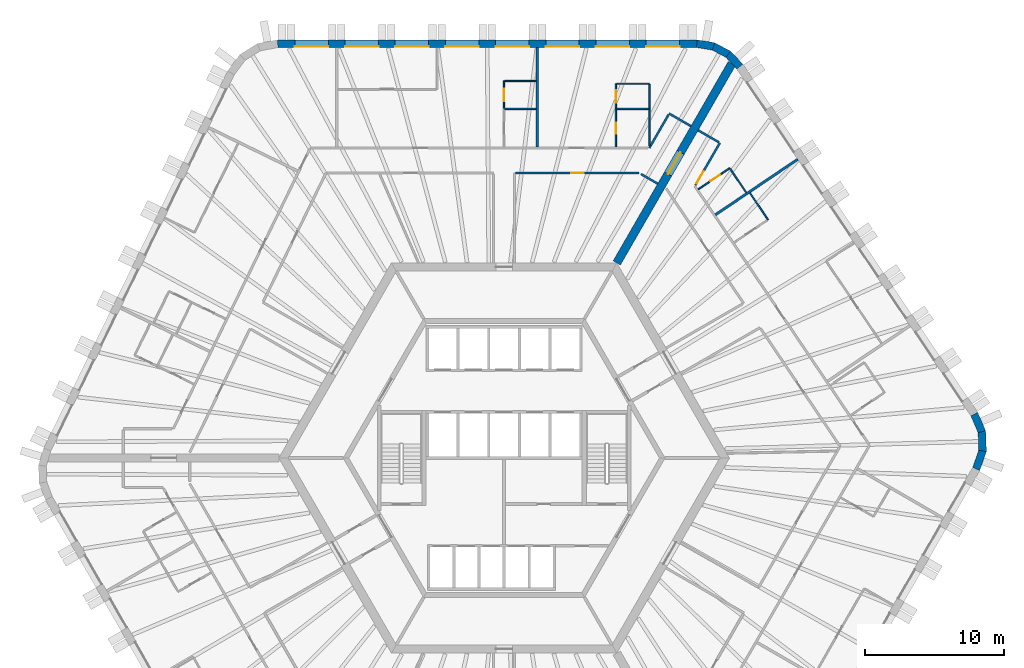
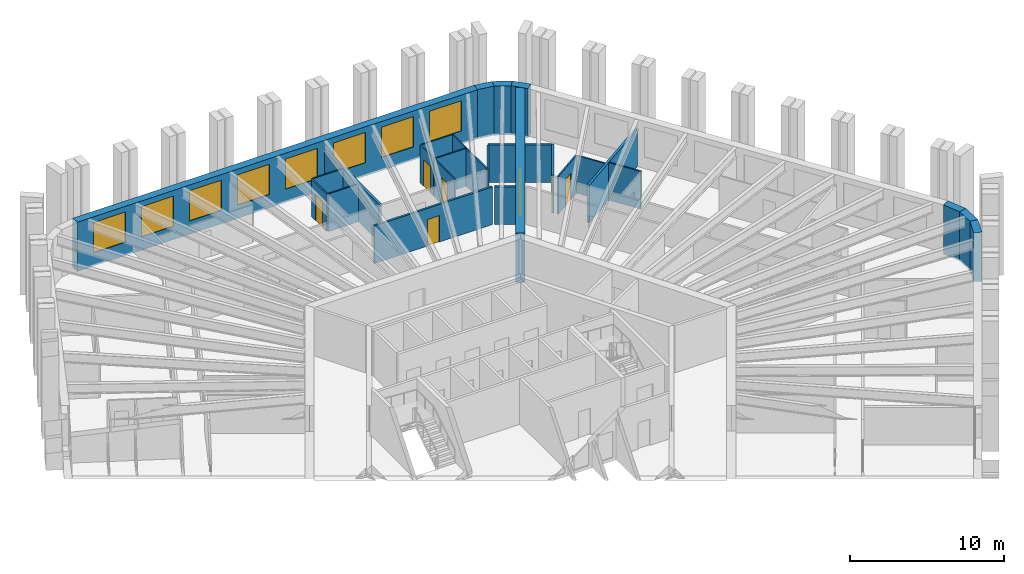
# One storey, part 10 of 13: 28 walls, 8 windows, 7 doors, 15 openings.
"""IFC4 building model written with IfcOpenShell, lengths in metres."""

from ifc_helpers import new_model, si_unit, direction, frame, frame_2d, origin, place, context, subcontext, project, spatial, polyline, rectangle, outline, extrude, material, layer, layer_set, type_object, element, fill, save


model = new_model("IFC4")

# Units and contexts
model_context = context("Model", 3, precision=1e-05, world=origin(), true_north=direction((0.0, 1.0)))
body_context = subcontext(model_context, "Body", "Model", "MODEL_VIEW")
ifc_project = project(units=[si_unit("LENGTHUNIT", "METRE"), si_unit("AREAUNIT", "SQUARE_METRE"), si_unit("VOLUMEUNIT", "CUBIC_METRE"), si_unit("PLANEANGLEUNIT", "RADIAN"), si_unit("MASSUNIT", "GRAM", prefix="KILO")], contexts=[model_context])

# Site, building, storey
site_placement = place(None, origin())
site = spatial("IfcSite", under=ifc_project, at=site_placement, CompositionType="ELEMENT")
building_placement = place(site_placement, origin())
building = spatial("IfcBuilding", under=site, at=building_placement, Name="Tarnside Tower", CompositionType="ELEMENT")
storey_placement = place(building_placement, frame((0.0, 0.0, 92.10009765625)))
storey = spatial("IfcBuildingStorey", under=building, at=storey_placement, Name="L20", CompositionType="ELEMENT", Elevation=92.10009765625)

# Wall, opening, door
ifc_material_1 = material(Name="Gypsum board partition on steel studs", Category="steel")
ifc_layer_1 = layer(ifc_material_1, 0.10009765625)
ifc_layer_set_1 = layer_set([ifc_layer_1], Name="Bathroom wall 100")
wall_type_1 = type_object("IfcWallType", Name="Bathroom wall 100", PredefinedType="PARTITIONING", material=ifc_layer_set_1)
wall_1_placement = place(storey_placement, frame((8.021240234375, 22.324951171875, 0.0), z_axis=(0.0, 0.0, 1.0), x_axis=(0.0, 1.0, 0.0)))
wall_1 = element("IfcWall", 1, at=wall_1_placement, inside=storey, type_object=wall_type_1, Name="Bathroom wall 06076", PredefinedType="PARTITIONING", context=body_context, shape_type="SweptSolid", body=[
    extrude(rectangle(XDim=2.72509765625, YDim=0.10009765625, at=frame_2d((1.362548828125, 0.0))), origin(), (0.0, 0.0, 1.0), 2.98779296875),
])
opening_1_placement = place(wall_1_placement, frame((0.925048828125, 0.0, 0.0)))
opening_1 = element("IfcOpeningElement", 2, at=opening_1_placement, cuts=wall_1, Name="Opening D-B1", PredefinedType="OPENING", context=body_context, shape_type="SweptSolid", body=[
    extrude(rectangle(XDim=0.800048828125, YDim=2.10009765625, at=frame_2d((0.39990234375, 1.050048828125))), frame((0.0, 0.06005859375, 0.0), z_axis=(0.0, -1.0, 0.0), x_axis=(1.0, 0.0, 0.0)), (0.0, 0.0, 1.0), 0.1201171875),
])
ifc_material_2 = material(Name="Timber door leaf", Category="wood")
door_type_1 = type_object("IfcDoorType", Name="Bathroom door 800", OperationType="NOTDEFINED", PredefinedType="DOOR", material=ifc_material_2)
door_1_placement = place(opening_1_placement, origin())
door_1 = element("IfcDoor", 3, at=door_1_placement, inside=storey, type_object=door_type_1, Name="Bathroom door 06002", OperationType="SINGLE_SWING_RIGHT", OverallHeight=2.10009765625, OverallWidth=0.800048828125, PredefinedType="DOOR", context=body_context, shape_type="SweptSolid", body=[
    extrude(rectangle(XDim=0.800048828125, YDim=2.10009765625, at=frame_2d((0.39990234375, 1.050048828125))), frame((0.0, 0.02490234375, 0.0), z_axis=(0.0, -1.0, 0.0), x_axis=(1.0, 0.0, 0.0)), (0.0, 0.0, 1.0), 0.050048828125),
])
fill(opening_1, door_1)

# Walls
wall_2_placement = place(storey_placement, frame((10.421142578125, 25.050048828125, 0.0), z_axis=(0.0, 0.0, 1.0), x_axis=(0.0, -1.0, 0.0)))
element("IfcWall", 4, at=wall_2_placement, inside=storey, type_object=wall_type_1, Name="Bathroom wall 06077", PredefinedType="PARTITIONING", context=body_context, shape_type="SweptSolid", body=[
    extrude(rectangle(XDim=2.650146484375, YDim=0.10009765625, at=frame_2d((1.3251953125, 0.0))), origin(), (0.0, 0.0, 1.0), 2.98779296875),
])
wall_3_placement = place(storey_placement, frame((10.37109375, 25.050048828125, 0.0), z_axis=(0.0, 0.0, 1.0), x_axis=(-1.0, 0.0, 0.0)))
element("IfcWall", 5, at=wall_3_placement, inside=storey, type_object=wall_type_1, Name="Bathroom wall 06084", PredefinedType="PARTITIONING", context=body_context, shape_type="SweptSolid", body=[
    extrude(rectangle(XDim=2.2998046875, YDim=0.10009765625, at=frame_2d((1.14990234375, 0.0))), origin(), (0.0, 0.0, 1.0), 2.98779296875),
])
wall_4_placement = place(storey_placement, frame((2.298828125, 25.050048828125, 0.0), z_axis=(0.0, 0.0, 1.0), x_axis=(-1.0, 0.0, 0.0)))
element("IfcWall", 6, at=wall_4_placement, inside=storey, type_object=wall_type_1, Name="Bathroom wall 06091", PredefinedType="PARTITIONING", context=body_context, shape_type="SweptSolid", body=[
    extrude(rectangle(XDim=2.259765625, YDim=0.10009765625, at=frame_2d((1.1298828125, 0.0))), origin(), (0.0, 0.0, 1.0), 2.98779296875),
])
wall_5_placement = place(storey_placement, frame((17.634521484375, 19.010009765625, 0.0), z_axis=(0.0, 0.0, 1.0), x_axis=(0.559204176839, -0.829029968461, 0.0)))
element("IfcWall", 7, at=wall_5_placement, inside=storey, type_object=wall_type_1, Name="Bathroom wall 06154", PredefinedType="PARTITIONING", context=body_context, shape_type="SweptSolid", body=[
    extrude(rectangle(XDim=2.31005859375, YDim=0.10009765625, at=frame_2d((1.155029296875, 0.0))), origin(), (0.0, 0.0, 1.0), 2.98779296875),
])

# Wall, opening, door
wall_6_placement = place(storey_placement, frame((13.92919921875, 19.27294921875, 0.0), z_axis=(0.0, 0.0, 1.0), x_axis=(0.829047014003, 0.559178905694, 0.0)))
wall_6 = element("IfcWall", 8, at=wall_6_placement, inside=storey, type_object=wall_type_1, Name="Bathroom wall 06161", PredefinedType="PARTITIONING", context=body_context, shape_type="SweptSolid", body=[
    extrude(rectangle(XDim=2.724853515625, YDim=0.10009765625, at=frame_2d((1.3623046875, 0.0))), origin(), (0.0, 0.0, 1.0), 2.98779296875),
])
opening_2_placement = place(wall_6_placement, frame((1.06494140625, 0.0, 0.0)))
opening_2 = element("IfcOpeningElement", 9, at=opening_2_placement, cuts=wall_6, Name="Opening D-B1", PredefinedType="OPENING", context=body_context, shape_type="SweptSolid", body=[
    extrude(rectangle(XDim=0.800048828125, YDim=2.10009765625, at=frame_2d((0.39990234375, 1.050048828125))), frame((0.0, 0.06005859375, 0.0), z_axis=(0.0, -1.0, 0.0), x_axis=(1.0, 0.0, 0.0)), (0.0, 0.0, 1.0), 0.1201171875),
])
door_2_placement = place(opening_2_placement, origin())
door_2 = element("IfcDoor", 10, at=door_2_placement, inside=storey, type_object=door_type_1, Name="Bathroom door 06041", OperationType="SINGLE_SWING_LEFT", OverallHeight=2.10009765625, OverallWidth=0.800048828125, PredefinedType="DOOR", context=body_context, shape_type="SweptSolid", body=[
    extrude(rectangle(XDim=0.800048828125, YDim=2.10009765625, at=frame_2d((0.39990234375, 1.050048828125))), frame((0.0, 0.02490234375, 0.0), z_axis=(0.0, -1.0, 0.0), x_axis=(1.0, 0.0, 0.0)), (0.0, 0.0, 1.0), 0.050048828125),
])
fill(opening_2, door_2)

# Wall
wall_7_placement = place(storey_placement, frame((16.216064453125, 20.755126953125, 0.0), z_axis=(0.0, 0.0, 1.0), x_axis=(0.559259117518, -0.828992906769, 0.0)))
element("IfcWall", 11, at=wall_7_placement, inside=storey, type_object=wall_type_1, Name="Bathroom wall 06162", PredefinedType="PARTITIONING", context=body_context, shape_type="SweptSolid", body=[
    extrude(rectangle(XDim=2.06005859375, YDim=0.10009765625, at=frame_2d((1.030029296875, 0.0))), origin(), (0.0, 0.0, 1.0), 2.98779296875),
])

# Wall, opening, door
ifc_material_3 = material(Name="Concrete C80/95", Category="concrete")
ifc_layer_2 = layer(ifc_material_3, 0.60009765625)
ifc_layer_set_2 = layer_set([ifc_layer_2], Name="Core wall Z1 600 C80/95")
wall_type_2 = type_object("IfcWallType", Name="Core wall Z1 600 C80/95", PredefinedType="SHEAR", material=ifc_layer_set_2)
wall_8_placement = place(storey_placement, frame((8.0830078125, 14.0, -0.150146484375), z_axis=(0.0, 0.0, 1.0), x_axis=(0.499997680643, 0.866026742862, 0.0)))
wall_8 = element("IfcWall", 12, at=wall_8_placement, inside=storey, type_object=wall_type_2, Name="L20 spine wall 1", PredefinedType="SHEAR", context=body_context, shape_type="SweptSolid", body=[
    extrude(rectangle(XDim=16.5087890625, YDim=0.60009765625, at=frame_2d((8.25439453125, 0.0))), origin(), (0.0, 0.0, 1.0), 3.900146484375),
])
opening_3_placement = place(wall_8_placement, frame((7.3544921875, 0.0, 0.14990234375)))
opening_3 = element("IfcOpeningElement", 13, at=opening_3_placement, cuts=wall_8, Name="Opening CD-SPN", PredefinedType="OPENING", context=body_context, shape_type="SweptSolid", body=[
    extrude(rectangle(XDim=1.800048828125, YDim=2.39990234375, at=frame_2d((0.89990234375, 1.199951171875))), frame((0.0, 0.31005859375, 0.0), z_axis=(0.0, -1.0, 0.0), x_axis=(1.0, 0.0, 0.0)), (0.0, 0.0, 1.0), 0.6201171875),
])
ifc_material_4 = material(Name="Steel fire door", Category="steel")
door_type_2 = type_object("IfcDoorType", Name="Spine passage double door FD60 1800x2400", OperationType="NOTDEFINED", PredefinedType="DOOR", material=ifc_material_4)
door_3_placement = place(opening_3_placement, origin())
door_3 = element("IfcDoor", 14, at=door_3_placement, inside=storey, type_object=door_type_2, Name="L20 spine passage door 1", OperationType="DOUBLE_DOOR_SINGLE_SWING", OverallHeight=2.39990234375, OverallWidth=1.800048828125, PredefinedType="DOOR", context=body_context, shape_type="SweptSolid", body=[
    extrude(rectangle(XDim=1.800048828125, YDim=2.39990234375, at=frame_2d((0.89990234375, 1.199951171875))), frame((0.0, 0.02490234375, 0.0), z_axis=(0.0, -1.0, 0.0), x_axis=(1.0, 0.0, 0.0)), (0.0, 0.0, 1.0), 0.050048828125),
])
fill(opening_3, door_3)

# Walls
ifc_layer_3 = layer(ifc_material_1, 0.14990234375)
ifc_layer_set_3 = layer_set([ifc_layer_3], Name="Corridor wall 150 EI 60")
wall_type_3 = type_object("IfcWallType", Name="Corridor wall 150 EI 60", PredefinedType="PARTITIONING", material=ifc_layer_set_3)
wall_9_placement = place(storey_placement, frame((13.400390625, 23.81005859375, 0.0), z_axis=(0.0, 0.0, 1.0), x_axis=(-0.865989075817, 0.500062916607, 0.0)))
element("IfcWall", 15, at=wall_9_placement, inside=storey, type_object=wall_type_3, Name="Corridor wall 06002", PredefinedType="PARTITIONING", context=body_context, shape_type="SweptSolid", body=[
    extrude(rectangle(XDim=1.800048828125, YDim=0.14990234375, at=frame_2d((0.89990234375, 0.0))), origin(), (0.0, 0.0, 1.0), 2.98779296875),
])
wall_10_placement = place(storey_placement, frame((11.803955078125, 24.64501953125, 0.0), z_axis=(0.0, 0.0, 1.0), x_axis=(-0.500012835235, -0.866017993231, 0.0)))
element("IfcWall", 16, at=wall_10_placement, inside=storey, type_object=wall_type_3, Name="Corridor wall 06003", PredefinedType="PARTITIONING", context=body_context, shape_type="SweptSolid", body=[
    extrude(rectangle(XDim=2.765625, YDim=0.14990234375, at=frame_2d((1.3828125, 0.0))), origin(), (0.0, 0.0, 1.0), 2.98779296875),
])

# Wall, opening, door
wall_11_placement = place(storey_placement, frame((0.824951171875, 20.449951171875, 0.0), z_axis=(0.0, 0.0, 1.0), x_axis=(1.0, 0.0, 0.0)))
wall_11 = element("IfcWall", 17, at=wall_11_placement, inside=storey, type_object=wall_type_3, Name="Corridor wall 06021", PredefinedType="PARTITIONING", context=body_context, shape_type="SweptSolid", body=[
    extrude(rectangle(XDim=8.860107421875, YDim=0.14990234375, at=frame_2d((4.43017578125, 0.0))), origin(), (0.0, 0.0, 1.0), 2.98779296875),
])
opening_4_placement = place(wall_11_placement, frame((3.97998046875, 0.0, 0.0)))
opening_4 = element("IfcOpeningElement", 18, at=opening_4_placement, cuts=wall_11, Name="Opening D-S1", PredefinedType="OPENING", context=body_context, shape_type="SweptSolid", body=[
    extrude(rectangle(XDim=0.89990234375, YDim=2.10009765625, at=frame_2d((0.449951171875, 1.050048828125))), frame((0.0, 0.0849609375, 0.0), z_axis=(0.0, -1.0, 0.0), x_axis=(1.0, 0.0, 0.0)), (0.0, 0.0, 1.0), 0.169921875),
])
door_type_3 = type_object("IfcDoorType", Name="Service room door 900 FD30S", OperationType="NOTDEFINED", PredefinedType="DOOR", material=ifc_material_2)
door_4_placement = place(opening_4_placement, origin())
door_4 = element("IfcDoor", 19, at=door_4_placement, inside=storey, type_object=door_type_3, Name="Service door 06044", OperationType="SINGLE_SWING_LEFT", OverallHeight=2.10009765625, OverallWidth=0.89990234375, PredefinedType="DOOR", context=body_context, shape_type="SweptSolid", body=[
    extrude(rectangle(XDim=0.89990234375, YDim=2.10009765625, at=frame_2d((0.449951171875, 1.050048828125))), frame((0.0, 0.02490234375, 0.0), z_axis=(0.0, -1.0, 0.0), x_axis=(1.0, 0.0, 0.0)), (0.0, 0.0, 1.0), 0.050048828125),
])
fill(opening_4, door_4)

# Wall
wall_12_placement = place(storey_placement, frame((9.81494140625, 20.375, 0.0), z_axis=(0.0, 0.0, 1.0), x_axis=(0.86600392025, -0.500037208726, 0.0)))
element("IfcWall", 20, at=wall_12_placement, inside=storey, type_object=wall_type_3, Name="Corridor wall 06022", PredefinedType="PARTITIONING", context=body_context, shape_type="SweptSolid", body=[
    extrude(rectangle(XDim=1.3876953125, YDim=0.14990234375, at=frame_2d((0.69384765625, 0.0))), origin(), (0.0, 0.0, 1.0), 2.98779296875),
])

# Wall, opening, door
wall_13_placement = place(storey_placement, frame((13.72607421875, 19.573974609375, 0.0), z_axis=(0.0, 0.0, 1.0), x_axis=(0.499951531933, 0.866053385028, 0.0)))
wall_13 = element("IfcWall", 21, at=wall_13_placement, inside=storey, type_object=wall_type_3, Name="Corridor wall 06063", PredefinedType="PARTITIONING", context=body_context, shape_type="SweptSolid", body=[
    extrude(rectangle(XDim=3.505615234375, YDim=0.14990234375, at=frame_2d((1.7529296875, 0.0))), origin(), (0.0, 0.0, 1.0), 2.98779296875),
])
opening_5_placement = place(wall_13_placement, frame((0.14990234375, 0.0, 0.0)))
opening_5 = element("IfcOpeningElement", 22, at=opening_5_placement, cuts=wall_13, Name="Opening D-E1", PredefinedType="OPENING", context=body_context, shape_type="SweptSolid", body=[
    extrude(rectangle(XDim=1.0, YDim=2.10009765625, at=frame_2d((0.5, 1.050048828125))), frame((0.0, 0.0849609375, 0.0), z_axis=(0.0, -1.0, 0.0), x_axis=(1.0, 0.0, 0.0)), (0.0, 0.0, 1.0), 0.169921875),
])
door_type_4 = type_object("IfcDoorType", Name="Unit entrance door 1000 FD30S", OperationType="NOTDEFINED", PredefinedType="DOOR", material=ifc_material_2)
door_5_placement = place(opening_5_placement, origin())
door_5 = element("IfcDoor", 23, at=door_5_placement, inside=storey, type_object=door_type_4, Name="Unit door 06040", OperationType="SINGLE_SWING_LEFT", OverallHeight=2.10009765625, OverallWidth=1.0, PredefinedType="DOOR", context=body_context, shape_type="SweptSolid", body=[
    extrude(rectangle(XDim=1.0, YDim=2.10009765625, at=frame_2d((0.5, 1.050048828125))), frame((0.0, 0.02490234375, 0.0), z_axis=(0.0, -1.0, 0.0), x_axis=(1.0, 0.0, 0.0)), (0.0, 0.0, 1.0), 0.050048828125),
])
fill(opening_5, door_5)

# Walls
wall_14_placement = place(storey_placement, frame((15.413818359375, 22.647705078125, 0.0), z_axis=(0.0, 0.0, 1.0), x_axis=(-0.866074815912, 0.499914405916, 0.0)))
element("IfcWall", 24, at=wall_14_placement, inside=storey, type_object=wall_type_3, Name="Corridor wall 06064", PredefinedType="PARTITIONING", context=body_context, shape_type="SweptSolid", body=[
    extrude(rectangle(XDim=1.724853515625, YDim=0.14990234375, at=frame_2d((0.8623046875, 0.0))), origin(), (0.0, 0.0, 1.0), 2.98779296875),
])
ifc_layer_4 = layer(ifc_material_1, 0.179931640625)
ifc_layer_set_4 = layer_set([ifc_layer_4], Name="Demising wall 180 EI 60")
wall_type_4 = type_object("IfcWallType", Name="Demising wall 180 EI 60", PredefinedType="PARTITIONING", material=ifc_layer_set_4)
for number, where, z_axis, x_axis, name in (
    (25, (2.388916015625, 29.449951171875, 0.0), (0.0, 0.0, 1.0), (0.0, -1.0, 0.0), "Demising wall 06081"),
    (26, (21.066162109375, 21.433349609375, 0.0), (0.0, 0.0, 1.0), (-0.829022625118, -0.559215063318, 0.0), "Demising wall 06158"),
):
    element("IfcWall", number, at=place(storey_placement, frame(where, z_axis=z_axis, x_axis=x_axis)), inside=storey, type_object=wall_type_4, Name=name, PredefinedType="PARTITIONING", context=body_context, shape_type="SweptSolid", body=[
        extrude(rectangle(XDim=7.125, YDim=0.179931640625, at=frame_2d((3.5625, 0.0))), origin(), (0.0, 0.0, 1.0), 2.98779296875),
    ])

# Wall, opening, door
ifc_layer_5 = layer(ifc_material_1, 0.10009765625)
ifc_layer_set_5 = layer_set([ifc_layer_5], Name="Partition 100")
wall_type_5 = type_object("IfcWallType", Name="Partition 100", PredefinedType="PARTITIONING", material=ifc_layer_set_5)
wall_15_placement = place(storey_placement, frame((8.021240234375, 25.10009765625, 0.0), z_axis=(0.0, 0.0, 1.0), x_axis=(0.0, 1.0, 0.0)))
wall_15 = element("IfcWall", 27, at=wall_15_placement, inside=storey, type_object=wall_type_5, Name="Partition wall 06078", PredefinedType="PARTITIONING", context=body_context, shape_type="SweptSolid", body=[
    extrude(rectangle(XDim=1.75, YDim=0.10009765625, at=frame_2d((0.875, 0.0))), origin(), (0.0, 0.0, 1.0), 2.98779296875),
])
opening_6_placement = place(wall_15_placement, frame((0.39990234375, 0.0, 0.0)))
opening_6 = element("IfcOpeningElement", 28, at=opening_6_placement, cuts=wall_15, Name="Opening D-I1", PredefinedType="OPENING", context=body_context, shape_type="SweptSolid", body=[
    extrude(rectangle(XDim=0.89990234375, YDim=2.10009765625, at=frame_2d((0.449951171875, 1.050048828125))), frame((0.0, 0.06005859375, 0.0), z_axis=(0.0, -1.0, 0.0), x_axis=(1.0, 0.0, 0.0)), (0.0, 0.0, 1.0), 0.1201171875),
])
door_type_5 = type_object("IfcDoorType", Name="Internal door 900", OperationType="NOTDEFINED", PredefinedType="DOOR", material=ifc_material_2)
door_6_placement = place(opening_6_placement, origin())
door_6 = element("IfcDoor", 29, at=door_6_placement, inside=storey, type_object=door_type_5, Name="Internal door 06003", OperationType="SINGLE_SWING_RIGHT", OverallHeight=2.10009765625, OverallWidth=0.89990234375, PredefinedType="DOOR", context=body_context, shape_type="SweptSolid", body=[
    extrude(rectangle(XDim=0.89990234375, YDim=2.10009765625, at=frame_2d((0.449951171875, 1.050048828125))), frame((0.0, 0.02490234375, 0.0), z_axis=(0.0, -1.0, 0.0), x_axis=(1.0, 0.0, 0.0)), (0.0, 0.0, 1.0), 0.050048828125),
])
fill(opening_6, door_6)

# Walls
wall_16_placement = place(storey_placement, frame((8.0712890625, 26.85009765625, 0.0), z_axis=(0.0, 0.0, 1.0), x_axis=(1.0, 0.0, 0.0)))
element("IfcWall", 30, at=wall_16_placement, inside=storey, type_object=wall_type_5, Name="Partition wall 06079", PredefinedType="PARTITIONING", context=body_context, shape_type="SweptSolid", body=[
    extrude(rectangle(XDim=2.349853515625, YDim=0.10009765625, at=frame_2d((1.1748046875, 0.0))), origin(), (0.0, 0.0, 1.0), 2.98779296875),
])
wall_17_placement = place(storey_placement, frame((10.421142578125, 26.800048828125, 0.0), z_axis=(0.0, 0.0, 1.0), x_axis=(0.0, -1.0, 0.0)))
element("IfcWall", 31, at=wall_17_placement, inside=storey, type_object=wall_type_5, Name="Partition wall 06080", PredefinedType="PARTITIONING", context=body_context, shape_type="SweptSolid", body=[
    extrude(rectangle(XDim=1.699951171875, YDim=0.10009765625, at=frame_2d((0.85009765625, 0.0))), origin(), (0.0, 0.0, 1.0), 2.98779296875),
])

# Wall, opening, door
wall_18_placement = place(storey_placement, frame((-0.010986328125, 25.10009765625, 0.0), z_axis=(0.0, 0.0, 1.0), x_axis=(0.0, 1.0, 0.0)))
wall_18 = element("IfcWall", 32, at=wall_18_placement, inside=storey, type_object=wall_type_5, Name="Partition wall 06086", PredefinedType="PARTITIONING", context=body_context, shape_type="SweptSolid", body=[
    extrude(rectangle(XDim=1.949951171875, YDim=0.10009765625, at=frame_2d((0.97509765625, 0.0))), origin(), (0.0, 0.0, 1.0), 2.98779296875),
])
opening_7_placement = place(wall_18_placement, frame((0.5, 0.0, 0.0)))
opening_7 = element("IfcOpeningElement", 33, at=opening_7_placement, cuts=wall_18, Name="Opening D-I1", PredefinedType="OPENING", context=body_context, shape_type="SweptSolid", body=[
    extrude(rectangle(XDim=0.89990234375, YDim=2.10009765625, at=frame_2d((0.449951171875, 1.050048828125))), frame((0.0, 0.06005859375, 0.0), z_axis=(0.0, -1.0, 0.0), x_axis=(1.0, 0.0, 0.0)), (0.0, 0.0, 1.0), 0.1201171875),
])
door_7_placement = place(opening_7_placement, origin())
door_7 = element("IfcDoor", 34, at=door_7_placement, inside=storey, type_object=door_type_5, Name="Internal door 06006", OperationType="SINGLE_SWING_RIGHT", OverallHeight=2.10009765625, OverallWidth=0.89990234375, PredefinedType="DOOR", context=body_context, shape_type="SweptSolid", body=[
    extrude(rectangle(XDim=0.89990234375, YDim=2.10009765625, at=frame_2d((0.449951171875, 1.050048828125))), frame((0.0, 0.02490234375, 0.0), z_axis=(0.0, -1.0, 0.0), x_axis=(1.0, 0.0, 0.0)), (0.0, 0.0, 1.0), 0.050048828125),
])
fill(opening_7, door_7)

# Wall
wall_19_placement = place(storey_placement, frame((0.0390625, 27.050048828125, 0.0), z_axis=(0.0, 0.0, 1.0), x_axis=(1.0, 0.0, 0.0)))
element("IfcWall", 35, at=wall_19_placement, inside=storey, type_object=wall_type_5, Name="Partition wall 06087", PredefinedType="PARTITIONING", context=body_context, shape_type="SweptSolid", body=[
    extrude(rectangle(XDim=2.259765625, YDim=0.10009765625, at=frame_2d((1.1298828125, 0.0))), origin(), (0.0, 0.0, 1.0), 2.98779296875),
])

# Wall, openings, windows
ifc_material_5 = material(Name="Facing brick", Category="masonry")
ifc_layer_6 = layer(ifc_material_5, 0.10205078125)
ifc_material_6 = material(Name="Concrete C60/75 precast", Category="concrete")
ifc_layer_7 = layer(ifc_material_6, 0.347900390625)
ifc_material_7 = material(Name="Mineral wool insulation")
ifc_layer_8 = layer(ifc_material_7, 0.10009765625)
ifc_layer_set_6 = layer_set([ifc_layer_6, ifc_layer_7, ifc_layer_8], Name="Tube wall 550 brick faced")
wall_type_6 = type_object("IfcWallType", Name="Tube wall 550 brick faced", PredefinedType="SOLIDWALL", material=ifc_layer_set_6)
wall_20_placement = place(storey_placement, frame((13.824462890625, 29.72509765625, -0.150146484375), z_axis=(0.0, 0.0, 1.0), x_axis=(-1.0, 0.0, 0.0)))
wall_20 = element("IfcWall", 36, at=wall_20_placement, inside=storey, type_object=wall_type_6, Name="Tube wall L20 F1 flush 00", PredefinedType="SOLIDWALL", context=body_context, shape_type="SweptSolid", body=[
    extrude(outline(polyline([(-0.0224609375, -0.27490234375), (30.0966796875, -0.27490234375), (30.04541015625, 0.27490234375), (0.0224609375, 0.27490234375), (-0.0224609375, -0.27490234375)])), origin(), (0.0, 0.0, 1.0), 3.900146484375),
])
opening_8_placement = place(wall_20_placement, frame((1.235595703125, 0.0, 1.050048828125)))
opening_8 = element("IfcOpeningElement", 37, at=opening_8_placement, cuts=wall_20, Name="Opening WH", PredefinedType="OPENING", context=body_context, shape_type="SweptSolid", body=[
    extrude(rectangle(XDim=2.39990234375, YDim=2.39990234375, at=frame_2d((1.199951171875, 1.199951171875))), frame((0.0, 0.28515625, 0.0), z_axis=(0.0, -1.0, 0.0), x_axis=(1.0, 0.0, 0.0)), (0.0, 0.0, 1.0), 0.570068359375),
])
opening_9_placement = place(wall_20_placement, frame((4.83544921875, 0.0, 1.050048828125)))
opening_9 = element("IfcOpeningElement", 38, at=opening_9_placement, cuts=wall_20, Name="Opening WH", PredefinedType="OPENING", context=body_context, shape_type="SweptSolid", body=[
    extrude(rectangle(XDim=2.39990234375, YDim=2.39990234375, at=frame_2d((1.199951171875, 1.199951171875))), frame((0.0, 0.28515625, 0.0), z_axis=(0.0, -1.0, 0.0), x_axis=(1.0, 0.0, 0.0)), (0.0, 0.0, 1.0), 0.570068359375),
])
opening_10_placement = place(wall_20_placement, frame((8.435546875, 0.0, 1.050048828125)))
opening_10 = element("IfcOpeningElement", 39, at=opening_10_placement, cuts=wall_20, Name="Opening WH", PredefinedType="OPENING", context=body_context, shape_type="SweptSolid", body=[
    extrude(rectangle(XDim=2.39990234375, YDim=2.39990234375, at=frame_2d((1.199951171875, 1.199951171875))), frame((0.0, 0.28515625, 0.0), z_axis=(0.0, -1.0, 0.0), x_axis=(1.0, 0.0, 0.0)), (0.0, 0.0, 1.0), 0.570068359375),
])
opening_11_placement = place(wall_20_placement, frame((12.035400390625, 0.0, 1.050048828125)))
opening_11 = element("IfcOpeningElement", 40, at=opening_11_placement, cuts=wall_20, Name="Opening WH", PredefinedType="OPENING", context=body_context, shape_type="SweptSolid", body=[
    extrude(rectangle(XDim=2.39990234375, YDim=2.39990234375, at=frame_2d((1.199951171875, 1.199951171875))), frame((0.0, 0.28515625, 0.0), z_axis=(0.0, -1.0, 0.0), x_axis=(1.0, 0.0, 0.0)), (0.0, 0.0, 1.0), 0.570068359375),
])
opening_12_placement = place(wall_20_placement, frame((15.635498046875, 0.0, 1.050048828125)))
opening_12 = element("IfcOpeningElement", 41, at=opening_12_placement, cuts=wall_20, Name="Opening WH", PredefinedType="OPENING", context=body_context, shape_type="SweptSolid", body=[
    extrude(rectangle(XDim=2.39990234375, YDim=2.39990234375, at=frame_2d((1.199951171875, 1.199951171875))), frame((0.0, 0.28515625, 0.0), z_axis=(0.0, -1.0, 0.0), x_axis=(1.0, 0.0, 0.0)), (0.0, 0.0, 1.0), 0.570068359375),
])
opening_13_placement = place(wall_20_placement, frame((19.235595703125, 0.0, 1.050048828125)))
opening_13 = element("IfcOpeningElement", 42, at=opening_13_placement, cuts=wall_20, Name="Opening WH", PredefinedType="OPENING", context=body_context, shape_type="SweptSolid", body=[
    extrude(rectangle(XDim=2.39990234375, YDim=2.39990234375, at=frame_2d((1.199951171875, 1.199951171875))), frame((0.0, 0.28515625, 0.0), z_axis=(0.0, -1.0, 0.0), x_axis=(1.0, 0.0, 0.0)), (0.0, 0.0, 1.0), 0.570068359375),
])
opening_14_placement = place(wall_20_placement, frame((22.83544921875, 0.0, 1.050048828125)))
opening_14 = element("IfcOpeningElement", 43, at=opening_14_placement, cuts=wall_20, Name="Opening WH", PredefinedType="OPENING", context=body_context, shape_type="SweptSolid", body=[
    extrude(rectangle(XDim=2.39990234375, YDim=2.39990234375, at=frame_2d((1.199951171875, 1.199951171875))), frame((0.0, 0.28515625, 0.0), z_axis=(0.0, -1.0, 0.0), x_axis=(1.0, 0.0, 0.0)), (0.0, 0.0, 1.0), 0.570068359375),
])
opening_15_placement = place(wall_20_placement, frame((26.435546875, 0.0, 1.050048828125)))
opening_15 = element("IfcOpeningElement", 44, at=opening_15_placement, cuts=wall_20, Name="Opening WH", PredefinedType="OPENING", context=body_context, shape_type="SweptSolid", body=[
    extrude(rectangle(XDim=2.39990234375, YDim=2.39990234375, at=frame_2d((1.199951171875, 1.199951171875))), frame((0.0, 0.28515625, 0.0), z_axis=(0.0, -1.0, 0.0), x_axis=(1.0, 0.0, 0.0)), (0.0, 0.0, 1.0), 0.570068359375),
])
ifc_material_8 = material(Name="Aluminium-framed double glazing", Category="aluminium")
window_type = type_object("IfcWindowType", Name="Hotel window 2400 x 2400", PartitioningType="DOUBLE_PANEL_VERTICAL", PredefinedType="WINDOW", material=ifc_material_8)
window_1_placement = place(opening_8_placement, frame((0.0, 0.205078125, 0.0)))
window_1 = element("IfcWindow", 45, at=window_1_placement, inside=storey, type_object=window_type, Name="E.WN.L20.F1.00", OverallHeight=2.39990234375, OverallWidth=2.39990234375, PartitioningType="DOUBLE_PANEL_VERTICAL", PredefinedType="WINDOW", context=body_context, shape_type="SweptSolid", body=[
    extrude(rectangle(XDim=2.39990234375, YDim=2.39990234375, at=frame_2d((1.199951171875, 1.199951171875))), frame((0.0, 0.030029296875, 0.0), z_axis=(0.0, -1.0, 0.0), x_axis=(1.0, 0.0, 0.0)), (0.0, 0.0, 1.0), 0.06005859375),
])
fill(opening_8, window_1)
window_2_placement = place(opening_9_placement, frame((0.0, 0.205078125, 0.0)))
window_2 = element("IfcWindow", 46, at=window_2_placement, inside=storey, type_object=window_type, Name="E.WN.L20.F1.01", OverallHeight=2.39990234375, OverallWidth=2.39990234375, PartitioningType="DOUBLE_PANEL_VERTICAL", PredefinedType="WINDOW", context=body_context, shape_type="SweptSolid", body=[
    extrude(rectangle(XDim=2.39990234375, YDim=2.39990234375, at=frame_2d((1.199951171875, 1.199951171875))), frame((0.0, 0.030029296875, 0.0), z_axis=(0.0, -1.0, 0.0), x_axis=(1.0, 0.0, 0.0)), (0.0, 0.0, 1.0), 0.06005859375),
])
fill(opening_9, window_2)
window_3_placement = place(opening_10_placement, frame((0.0, 0.205078125, 0.0)))
window_3 = element("IfcWindow", 47, at=window_3_placement, inside=storey, type_object=window_type, Name="E.WN.L20.F1.02", OverallHeight=2.39990234375, OverallWidth=2.39990234375, PartitioningType="DOUBLE_PANEL_VERTICAL", PredefinedType="WINDOW", context=body_context, shape_type="SweptSolid", body=[
    extrude(rectangle(XDim=2.39990234375, YDim=2.39990234375, at=frame_2d((1.199951171875, 1.199951171875))), frame((0.0, 0.030029296875, 0.0), z_axis=(0.0, -1.0, 0.0), x_axis=(1.0, 0.0, 0.0)), (0.0, 0.0, 1.0), 0.06005859375),
])
fill(opening_10, window_3)
window_4_placement = place(opening_11_placement, frame((0.0, 0.205078125, 0.0)))
window_4 = element("IfcWindow", 48, at=window_4_placement, inside=storey, type_object=window_type, Name="E.WN.L20.F1.03", OverallHeight=2.39990234375, OverallWidth=2.39990234375, PartitioningType="DOUBLE_PANEL_VERTICAL", PredefinedType="WINDOW", context=body_context, shape_type="SweptSolid", body=[
    extrude(rectangle(XDim=2.39990234375, YDim=2.39990234375, at=frame_2d((1.199951171875, 1.199951171875))), frame((0.0, 0.030029296875, 0.0), z_axis=(0.0, -1.0, 0.0), x_axis=(1.0, 0.0, 0.0)), (0.0, 0.0, 1.0), 0.06005859375),
])
fill(opening_11, window_4)
window_5_placement = place(opening_12_placement, frame((0.0, 0.205078125, 0.0)))
window_5 = element("IfcWindow", 49, at=window_5_placement, inside=storey, type_object=window_type, Name="E.WN.L20.F1.04", OverallHeight=2.39990234375, OverallWidth=2.39990234375, PartitioningType="DOUBLE_PANEL_VERTICAL", PredefinedType="WINDOW", context=body_context, shape_type="SweptSolid", body=[
    extrude(rectangle(XDim=2.39990234375, YDim=2.39990234375, at=frame_2d((1.199951171875, 1.199951171875))), frame((0.0, 0.030029296875, 0.0), z_axis=(0.0, -1.0, 0.0), x_axis=(1.0, 0.0, 0.0)), (0.0, 0.0, 1.0), 0.06005859375),
])
fill(opening_12, window_5)
window_6_placement = place(opening_13_placement, frame((0.0, 0.205078125, 0.0)))
window_6 = element("IfcWindow", 50, at=window_6_placement, inside=storey, type_object=window_type, Name="E.WN.L20.F1.05", OverallHeight=2.39990234375, OverallWidth=2.39990234375, PartitioningType="DOUBLE_PANEL_VERTICAL", PredefinedType="WINDOW", context=body_context, shape_type="SweptSolid", body=[
    extrude(rectangle(XDim=2.39990234375, YDim=2.39990234375, at=frame_2d((1.199951171875, 1.199951171875))), frame((0.0, 0.030029296875, 0.0), z_axis=(0.0, -1.0, 0.0), x_axis=(1.0, 0.0, 0.0)), (0.0, 0.0, 1.0), 0.06005859375),
])
fill(opening_13, window_6)
window_7_placement = place(opening_14_placement, frame((0.0, 0.205078125, 0.0)))
window_7 = element("IfcWindow", 51, at=window_7_placement, inside=storey, type_object=window_type, Name="E.WN.L20.F1.06", OverallHeight=2.39990234375, OverallWidth=2.39990234375, PartitioningType="DOUBLE_PANEL_VERTICAL", PredefinedType="WINDOW", context=body_context, shape_type="SweptSolid", body=[
    extrude(rectangle(XDim=2.39990234375, YDim=2.39990234375, at=frame_2d((1.199951171875, 1.199951171875))), frame((0.0, 0.030029296875, 0.0), z_axis=(0.0, -1.0, 0.0), x_axis=(1.0, 0.0, 0.0)), (0.0, 0.0, 1.0), 0.06005859375),
])
fill(opening_14, window_7)
window_8_placement = place(opening_15_placement, frame((0.0, 0.205078125, 0.0)))
window_8 = element("IfcWindow", 52, at=window_8_placement, inside=storey, type_object=window_type, Name="E.WN.L20.F1.07", OverallHeight=2.39990234375, OverallWidth=2.39990234375, PartitioningType="DOUBLE_PANEL_VERTICAL", PredefinedType="WINDOW", context=body_context, shape_type="SweptSolid", body=[
    extrude(rectangle(XDim=2.39990234375, YDim=2.39990234375, at=frame_2d((1.199951171875, 1.199951171875))), frame((0.0, 0.030029296875, 0.0), z_axis=(0.0, -1.0, 0.0), x_axis=(1.0, 0.0, 0.0)), (0.0, 0.0, 1.0), 0.06005859375),
])
fill(opening_15, window_8)

# Walls
wall_21_placement = place(storey_placement, frame((33.865966796875, -0.79248046875, -0.150146484375), z_axis=(0.0, 0.0, 1.0), x_axis=(0.33111537203, 0.943590276765, 0.0)))
element("IfcWall", 53, at=wall_21_placement, inside=storey, type_object=wall_type_6, Name="Tube wall L20 F5 chord 17", PredefinedType="SOLIDWALL", context=body_context, shape_type="SweptSolid", body=[
    extrude(outline(polyline([(-0.025634765625, -0.27490234375), (1.4306640625, -0.27490234375), (1.3271484375, 0.27490234375), (0.025634765625, 0.27490234375), (-0.025634765625, -0.27490234375)])), origin(), (0.0, 0.0, 1.0), 3.900146484375),
])
wall_22_placement = place(storey_placement, frame((34.322509765625, 0.508544921875, -0.150146484375), z_axis=(0.0, 0.0, 1.0), x_axis=(-0.034876908462, 0.999391615562, 0.0)))
element("IfcWall", 54, at=wall_22_placement, inside=storey, type_object=wall_type_6, Name="Tube wall L20 F5 chord 18", PredefinedType="SOLIDWALL", context=body_context, shape_type="SweptSolid", body=[
    extrude(outline(polyline([(-0.0517578125, -0.27490234375), (1.4306640625, -0.27490234375), (1.3271484375, 0.27490234375), (0.0517578125, 0.27490234375), (-0.0517578125, -0.27490234375)])), origin(), (0.0, 0.0, 1.0), 3.900146484375),
])
wall_23_placement = place(storey_placement, frame((34.2744140625, 1.88671875, -0.150146484375), z_axis=(0.0, 0.0, 1.0), x_axis=(-0.396161342798, 0.918180913803, 0.0)))
element("IfcWall", 55, at=wall_23_placement, inside=storey, type_object=wall_type_6, Name="Tube wall L20 F5 chord 19", PredefinedType="SOLIDWALL", context=body_context, shape_type="SweptSolid", body=[
    extrude(outline(polyline([(-0.0517578125, -0.27490234375), (1.40478515625, -0.27490234375), (1.353515625, 0.27490234375), (0.0517578125, 0.27490234375), (-0.0517578125, -0.27490234375)])), origin(), (0.0, 0.0, 1.0), 3.900146484375),
])
wall_24_placement = place(storey_placement, frame((16.91259765625, 28.0830078125, -0.150146484375), z_axis=(0.0, 0.0, 1.0), x_axis=(-0.686196220404, 0.727416488061, 0.0)))
element("IfcWall", 56, at=wall_24_placement, inside=storey, type_object=wall_type_6, Name="Tube wall L20 F6 chord 21", PredefinedType="SOLIDWALL", context=body_context, shape_type="SweptSolid", body=[
    extrude(outline(polyline([(-0.0224609375, -0.27490234375), (1.25341796875, -0.27490234375), (1.1630859375, 0.27490234375), (0.0224609375, 0.27490234375), (-0.0224609375, -0.27490234375)])), origin(), (0.0, 0.0, 1.0), 3.900146484375),
])
wall_25_placement = place(storey_placement, frame((16.08349609375, 28.9619140625, -0.150146484375), z_axis=(0.0, 0.0, 1.0), x_axis=(-0.882995347911, 0.469381737574, 0.0)))
element("IfcWall", 57, at=wall_25_placement, inside=storey, type_object=wall_type_6, Name="Tube wall L20 F6 chord 22", PredefinedType="SOLIDWALL", context=body_context, shape_type="SweptSolid", body=[
    extrude(outline(polyline([(-0.045166015625, -0.27490234375), (1.25341796875, -0.27490234375), (1.1630859375, 0.27490234375), (0.045166015625, 0.27490234375), (-0.045166015625, -0.27490234375)])), origin(), (0.0, 0.0, 1.0), 3.900146484375),
])
wall_26_placement = place(storey_placement, frame((15.0166015625, 29.529052734375, -0.150146484375), z_axis=(0.0, 0.0, 1.0), x_axis=(-0.986746625868, 0.162268593195, 0.0)))
element("IfcWall", 58, at=wall_26_placement, inside=storey, type_object=wall_type_6, Name="Tube wall L20 F6 chord 23", PredefinedType="SOLIDWALL", context=body_context, shape_type="SweptSolid", body=[
    extrude(outline(polyline([(-0.045166015625, -0.27490234375), (1.230712890625, -0.27490234375), (1.185791015625, 0.27490234375), (0.045166015625, 0.27490234375), (-0.045166015625, -0.27490234375)])), origin(), (0.0, 0.0, 1.0), 3.900146484375),
])

save(model, "model.ifc")
